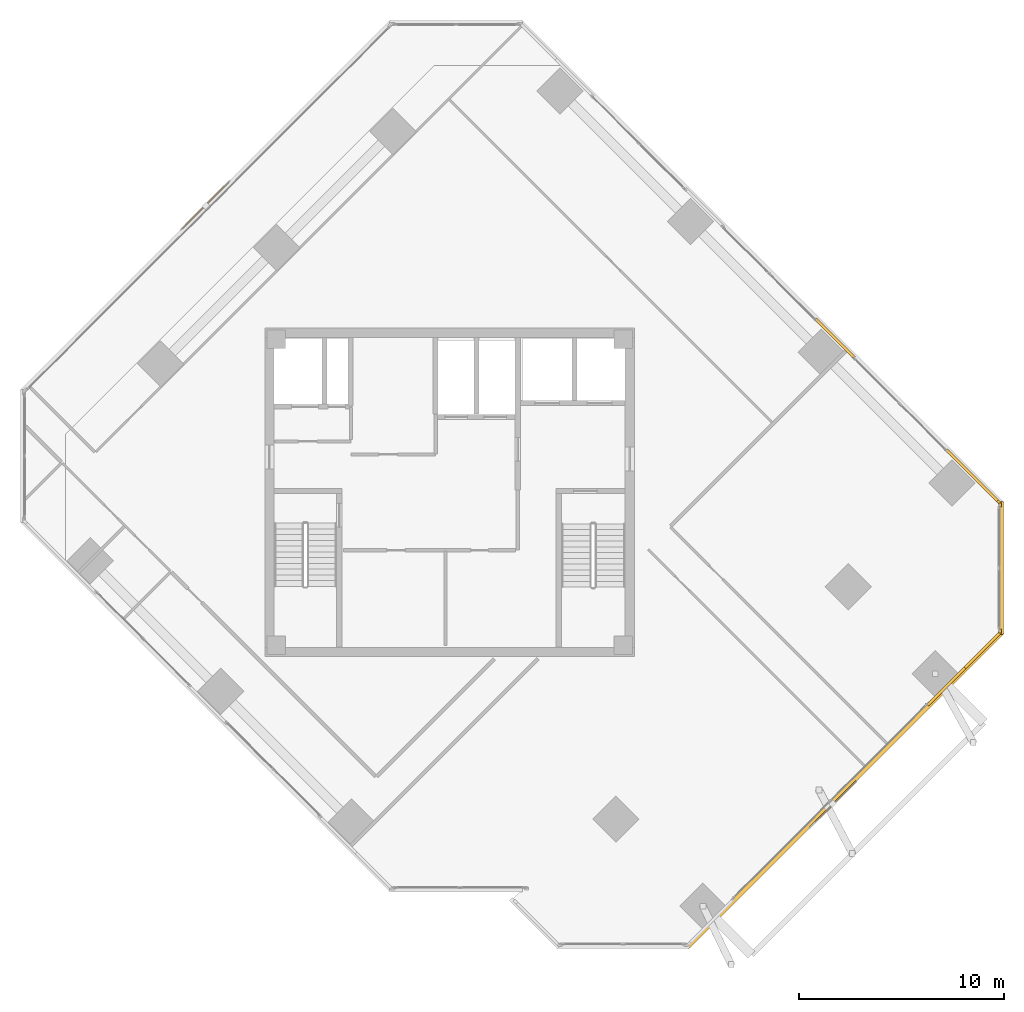
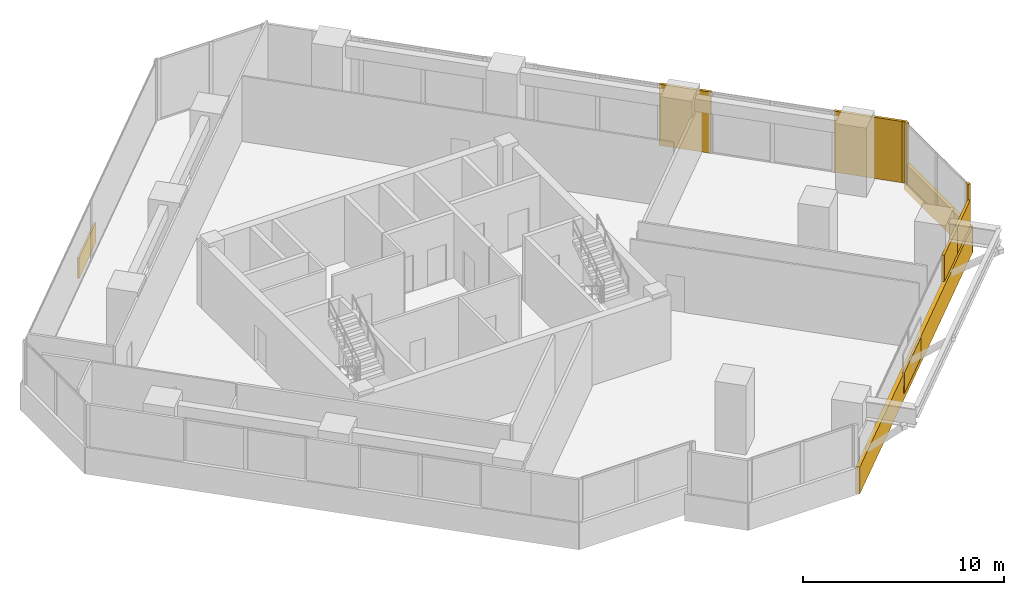
# One storey, part 16 of 17: 9 coverings, 2 shading devices.
"""IFC4 building model written with IfcOpenShell, lengths in metres."""

from ifc_helpers import new_model, si_unit, direction, frame, origin, origin_2d, place, context, subcontext, project, spatial, rectangle, extrude, source, transform, mapped, material, layer, layer_set, type_object, element, save


model = new_model("IFC4")

# Units and contexts
model_context = context("Model", 3, precision=1e-05, world=origin(), true_north=direction((0.0, 1.0)))
body_context = subcontext(model_context, "Body", "Model", "MODEL_VIEW")
ifc_project = project(units=[si_unit("LENGTHUNIT", "METRE"), si_unit("AREAUNIT", "SQUARE_METRE"), si_unit("VOLUMEUNIT", "CUBIC_METRE"), si_unit("PLANEANGLEUNIT", "RADIAN"), si_unit("MASSUNIT", "GRAM", prefix="KILO")], contexts=[model_context])

# Site, building, storey
site_placement = place(None, origin())
site = spatial("IfcSite", under=ifc_project, at=site_placement, CompositionType="ELEMENT")
building_placement = place(site_placement, origin())
building = spatial("IfcBuilding", under=site, at=building_placement, Name="Torre Montelarca", CompositionType="ELEMENT")
storey_placement = place(building_placement, frame((0.0, 0.0, 250.0)))
storey = spatial("IfcBuildingStorey", under=building, at=storey_placement, Name="L56", CompositionType="ELEMENT", Elevation=250.0)

# Covering
ifc_material_1 = material(Name="Bush-hammered warm white precast concrete C45/55", Category="concrete")
ifc_layer_1 = layer(ifc_material_1, 0.139892578125, Name="Bush-hammered warm white precast concrete C45/55", Category="concrete")
ifc_layer_set_1 = layer_set([ifc_layer_1], Name="Bush-hammered warm white precast concrete C45/55")
covering_type = type_object("IfcCoveringType", Name="COV-TRAY-CLAD", PredefinedType="CLADDING", material=ifc_layer_set_1)
shared_shape_1 = source(origin(), body_context, "Body", "SweptSolid", [
    extrude(rectangle(XDim=6.48388671875, YDim=0.219970703125, at=origin_2d()), origin(), (0.0, 0.0, 1.0), 1.6201171875),
])
covering_1_placement = place(storey_placement, frame((44.875244140625, 28.322998046875, -0.449951171875), z_axis=(0.0, 0.0, 1.0), x_axis=(0.0, 1.0, 0.0)))
element("IfcCovering", 1, at=covering_1_placement, inside=storey, type_object=covering_type, Name="L56 Architectural White Spandrel Tray Band TRYBOT-07", PredefinedType="CLADDING", context=body_context, shape_type="MappedRepresentation", body=[
    mapped(shared_shape_1, transform((0.0, 0.0, 0.0), scale=1.0)),
])

# Shading devices
ifc_material_2 = material(Name="Architectural perforated terracotta ceramic", Category="masonry")
ifc_layer_2 = layer(ifc_material_2, 0.080078125, Name="Architectural perforated terracotta ceramic", Category="masonry")
ifc_layer_set_2 = layer_set([ifc_layer_2], Name="Architectural perforated terracotta ceramic")
shading_device_type = type_object("IfcShadingDeviceType", Name="SHD-JALOUSIE-1", PredefinedType="JALOUSIE", material=ifc_layer_set_2)
shared_shape_2 = source(origin(), body_context, "Body", "SweptSolid", [
    extrude(rectangle(XDim=3.199951171875, YDim=0.10009765625, at=origin_2d()), origin(), (0.0, 0.0, 1.0), 1.25),
])
for number, where, z_axis, x_axis, name in (
    (2, (36.688720703125, 16.811279296875, -0.0048828125), (0.0, 0.0, 1.0), (0.707106781187, 0.707106781187, 0.0), "L56 Facade Solar Shading Device E6"),
    (3, (6.09912109375, 45.986572265625, -0.0048828125), (0.0, 0.0, 1.0), (-0.707104312914, -0.707109249451, 0.0), "L56 Facade Solar Shading Device E10"),
):
    element("IfcShadingDevice", number, at=place(storey_placement, frame(where, z_axis=z_axis, x_axis=x_axis)), inside=storey, type_object=shading_device_type, Name=name, PredefinedType="JALOUSIE", context=body_context, shape_type="MappedRepresentation", body=[
        mapped(shared_shape_2, transform((0.0, 0.0, 0.0), scale=1.0)),
    ])

# Coverings
shared_shape_3 = source(origin(), body_context, "Body", "SweptSolid", [
    extrude(rectangle(XDim=0.199951171875, YDim=0.139892578125, at=origin_2d()), origin(), (0.0, 0.0, 1.0), 3.719970703125),
])
for number, where, z_axis, x_axis, name in (
    (4, (44.815185546875, 25.2568359375, 0.0), (0.0, 0.0, 1.0), (0.0, 1.0, 0.0), "L56 Architectural Column Pier Cladding E07-1"),
    (5, (44.815185546875, 31.38916015625, 0.0), (0.0, 0.0, 1.0), (0.0, 1.0, 0.0), "L56 Architectural Column Pier Cladding E07-2"),
    (6, (44.759521484375, 31.523193359375, 0.0), (0.0, 0.0, 1.0), (-0.707105547051, 0.70710801532, 0.0), "L56 Architectural Column Pier Cladding E08-1"),
):
    element("IfcCovering", number, at=place(storey_placement, frame(where, z_axis=z_axis, x_axis=x_axis)), inside=storey, type_object=covering_type, Name=name, PredefinedType="CLADDING", context=body_context, shape_type="MappedRepresentation", body=[
        mapped(shared_shape_3, transform((0.0, 0.0, 0.0), scale=1.0)),
    ])
shared_shape_4 = source(origin(), body_context, "Body", "SweptSolid", [
    extrude(rectangle(XDim=21.719970703125, YDim=0.219970703125, at=origin_2d()), origin(), (0.0, 0.0, 1.0), 1.6201171875),
])
covering_2_placement = place(storey_placement, frame((37.247314453125, 17.525634765625, -0.449951171875), z_axis=(0.0, 0.0, 1.0), x_axis=(0.707106781187, 0.707106781187, 0.0)))
element("IfcCovering", 7, at=covering_2_placement, inside=storey, type_object=covering_type, Name="L56 Architectural White Spandrel Tray Band TRYBOT-06", PredefinedType="CLADDING", context=body_context, shape_type="MappedRepresentation", body=[
    mapped(shared_shape_4, transform((0.0, 0.0, 0.0), scale=1.0)),
])
shared_shape_5 = source(origin(), body_context, "Body", "SweptSolid", [
    extrude(rectangle(XDim=2.659912109375, YDim=0.139892578125, at=origin_2d()), origin(), (0.0, 0.0, 1.0), 3.719970703125),
])
covering_3_placement = place(storey_placement, frame((36.780517578125, 39.50244140625, 0.0), z_axis=(0.0, 0.0, 1.0), x_axis=(-0.707105547051, 0.70710801532, 0.0)))
element("IfcCovering", 8, at=covering_3_placement, inside=storey, type_object=covering_type, Name="L56 Architectural Column Pier Cladding E08-3", PredefinedType="CLADDING", context=body_context, shape_type="MappedRepresentation", body=[
    mapped(shared_shape_5, transform((0.0, 0.0, 0.0), scale=1.0)),
])
shared_shape_6 = source(origin(), body_context, "Body", "SweptSolid", [
    extrude(rectangle(XDim=3.614013671875, YDim=0.139892578125, at=origin_2d()), origin(), (0.0, 0.0, 1.0), 3.719970703125),
])
covering_4_placement = place(storey_placement, frame((43.48193359375, 32.801025390625, 0.0), z_axis=(0.0, 0.0, 1.0), x_axis=(-0.707105547051, 0.70710801532, 0.0)))
element("IfcCovering", 9, at=covering_4_placement, inside=storey, type_object=covering_type, Name="L56 Architectural Column Pier Cladding E08-2", PredefinedType="CLADDING", context=body_context, shape_type="MappedRepresentation", body=[
    mapped(shared_shape_6, transform((0.0, 0.0, 0.0), scale=1.0)),
])
shared_shape_7 = source(origin(), body_context, "Body", "SweptSolid", [
    extrude(rectangle(XDim=2.659912109375, YDim=0.139892578125, at=origin_2d()), origin(), (0.0, 0.0, 1.0), 2.77490234375),
])
covering_5_placement = place(storey_placement, frame((42.225341796875, 22.58837890625, 0.0), z_axis=(0.0, 0.0, 1.0), x_axis=(0.707106781187, 0.707106781187, 0.0)))
element("IfcCovering", 10, at=covering_5_placement, inside=storey, type_object=covering_type, Name="L56 Architectural Column Pier Cladding E06-3", PredefinedType="CLADDING", context=body_context, shape_type="MappedRepresentation", body=[
    mapped(shared_shape_7, transform((0.0, 0.0, 0.0), scale=1.0)),
])
shared_shape_8 = source(origin(), body_context, "Body", "SweptSolid", [
    extrude(rectangle(XDim=2.4541015625, YDim=0.139892578125, at=origin_2d()), origin(), (0.0, 0.0, 1.0), 2.77490234375),
])
covering_6_placement = place(storey_placement, frame((43.962646484375, 24.32568359375, 0.0), z_axis=(0.0, 0.0, 1.0), x_axis=(0.707106781187, 0.707106781187, 0.0)))
element("IfcCovering", 11, at=covering_6_placement, inside=storey, type_object=covering_type, Name="L56 Architectural Column Pier Cladding E06-4", PredefinedType="CLADDING", context=body_context, shape_type="MappedRepresentation", body=[
    mapped(shared_shape_8, transform((0.0, 0.0, 0.0), scale=1.0)),
])

save(model, "model.ifc")
